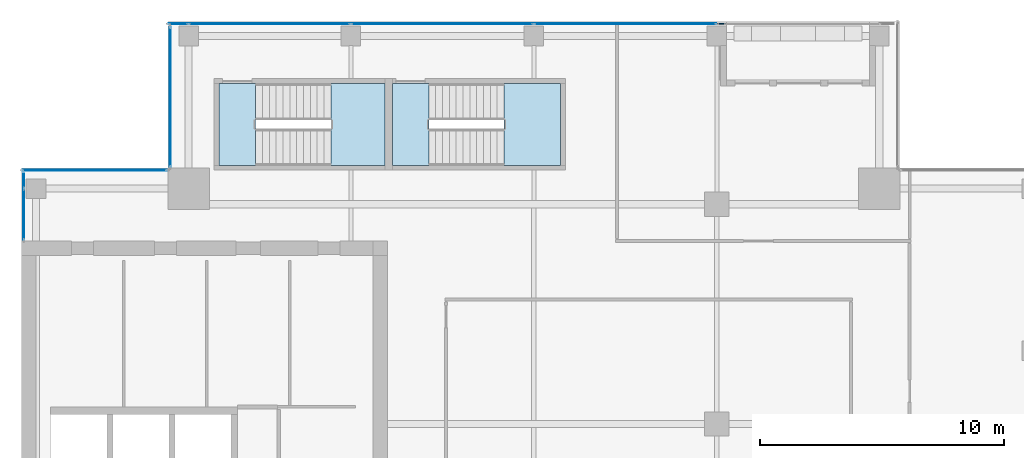
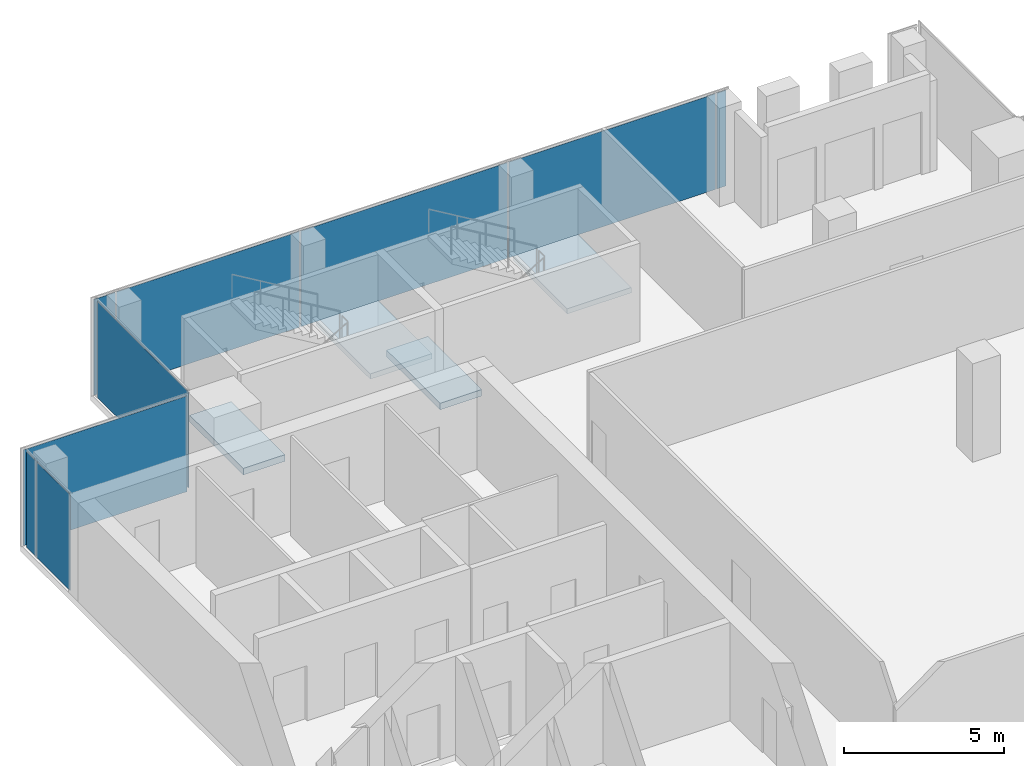
# One storey, part 23 of 29: 9 plates, 4 slabs, 6 elements without a shape of their own.
"""IFC4 building model written with IfcOpenShell, lengths in metres."""

from ifc_helpers import new_model, si_unit, direction, frame, origin, origin_2d, place, context, subcontext, project, spatial, polyline, rectangle, outline, extrude, source, transform, mapped, material, layer, layer_set, type_object, element, aggregate, save


model = new_model("IFC4")

# Units and contexts
model_context = context("Model", 3, precision=1e-05, world=origin(), true_north=direction((0.0, 1.0)))
body_context = subcontext(model_context, "Body", "Model", "MODEL_VIEW")
ifc_project = project(units=[si_unit("LENGTHUNIT", "METRE"), si_unit("AREAUNIT", "SQUARE_METRE"), si_unit("VOLUMEUNIT", "CUBIC_METRE"), si_unit("PLANEANGLEUNIT", "RADIAN"), si_unit("MASSUNIT", "GRAM", prefix="KILO")], contexts=[model_context])

# Site, building, storey
site_placement = place(None, origin())
site = spatial("IfcSite", under=ifc_project, at=site_placement, CompositionType="ELEMENT")
building_placement = place(site_placement, origin())
building = spatial("IfcBuilding", under=site, at=building_placement, Name="Khomas Fold Tower", CompositionType="ELEMENT")
storey_placement = place(building_placement, frame((0.0, 0.0, 322.199951171875)))
storey = spatial("IfcBuildingStorey", under=building, at=storey_placement, Name="L73", CompositionType="ELEMENT", Elevation=322.199951171875)

# Curtain wall, plate
ifc_material_1 = material(Name="Aluminium framed double glazing", Category="aluminium")
curtain_wall_type = type_object("IfcCurtainWallType", Name="SK-Unitised clear-glass wall, upper floors CW3", PredefinedType="NOTDEFINED", material=ifc_material_1)
curtain_wall_1_placement = place(storey_placement, origin())
curtain_wall_1 = element("IfcCurtainWall", 1, at=curtain_wall_1_placement, inside=storey, type_object=curtain_wall_type, Name="CW3 run L73 09-0", PredefinedType="NOTDEFINED")
ifc_material_2 = material(Name="Clear double glazed unit")
ifc_layer_1 = layer(ifc_material_2, 0.028076171875)
ifc_layer_set_1 = layer_set([ifc_layer_1], Name="Clear double glazed unit")
plate_type = type_object("IfcPlateType", Name="SK-Unitised clear-glass wall, upper floors glass panel CW3-P", PredefinedType="CURTAIN_PANEL", material=ifc_layer_set_1)
shared_shape_1 = source(origin(), body_context, "Body", "SweptSolid", [
    extrude(rectangle(XDim=0.574951171875, YDim=0.028076171875, at=origin_2d()), origin(), (0.0, 0.0, 1.0), 3.64990234375),
])
plate_1_placement = place(storey_placement, frame((6.10009765625, 41.46240234375, 0.0), z_axis=(0.0, 0.0, 1.0), x_axis=(0.0, -1.0, 0.0)))
plate_1 = element("IfcPlate", 2, at=plate_1_placement, type_object=plate_type, Name="CW3 glass panel 1", PredefinedType="CURTAIN_PANEL", context=body_context, shape_type="MappedRepresentation", body=[
    mapped(shared_shape_1, transform((0.0, 0.0, 0.0))),
])

# Curtain wall, plates
curtain_wall_2_placement = place(storey_placement, origin())
curtain_wall_2 = element("IfcCurtainWall", 3, at=curtain_wall_2_placement, inside=storey, type_object=curtain_wall_type, Name="CW3 run L73 06-1", PredefinedType="NOTDEFINED")
shared_shape_2 = source(origin(), body_context, "Body", "SweptSolid", [
    extrude(rectangle(XDim=6.60009765625, YDim=0.028076171875, at=origin_2d()), origin(), (0.0, 0.0, 1.0), 3.64990234375),
])
plate_2_placement = place(storey_placement, frame((16.175048828125, 47.89990234375, 0.0), z_axis=(0.0, 0.0, 1.0), x_axis=(-1.0, 0.0, 0.0)))
plate_2 = element("IfcPlate", 4, at=plate_2_placement, type_object=plate_type, Name="CW3 glass panel 4", PredefinedType="CURTAIN_PANEL", context=body_context, shape_type="MappedRepresentation", body=[
    mapped(shared_shape_2, transform((0.0, 0.0, 0.0))),
])
shared_shape_3 = source(origin(), body_context, "Body", "SweptSolid", [
    extrude(rectangle(XDim=7.449951171875, YDim=0.028076171875, at=origin_2d()), origin(), (0.0, 0.0, 1.0), 3.64990234375),
])
plate_3_placement = place(storey_placement, frame((30.75, 47.89990234375, 0.0), z_axis=(0.0, 0.0, 1.0), x_axis=(-1.0, 0.0, 0.0)))
plate_3 = element("IfcPlate", 5, at=plate_3_placement, type_object=plate_type, Name="CW3 glass panel 2", PredefinedType="CURTAIN_PANEL", context=body_context, shape_type="MappedRepresentation", body=[
    mapped(shared_shape_3, transform((0.0, 0.0, 0.0))),
])
plate_4_placement = place(storey_placement, frame((23.25, 47.89990234375, 0.0), z_axis=(0.0, 0.0, 1.0), x_axis=(-1.0, 0.0, 0.0)))
plate_4 = element("IfcPlate", 6, at=plate_4_placement, type_object=plate_type, Name="CW3 glass panel 3", PredefinedType="CURTAIN_PANEL", context=body_context, shape_type="MappedRepresentation", body=[
    mapped(shared_shape_3, transform((0.0, 0.0, 0.0))),
])
shared_shape_4 = source(origin(), body_context, "Body", "SweptSolid", [
    extrude(rectangle(XDim=0.77490234375, YDim=0.028076171875, at=origin_2d()), origin(), (0.0, 0.0, 1.0), 3.64990234375),
])
plate_5_placement = place(storey_placement, frame((12.4375, 47.89990234375, 0.0), z_axis=(0.0, 0.0, 1.0), x_axis=(-1.0, 0.0, 0.0)))
plate_5 = element("IfcPlate", 7, at=plate_5_placement, type_object=plate_type, Name="CW3 glass panel 5", PredefinedType="CURTAIN_PANEL", context=body_context, shape_type="MappedRepresentation", body=[
    mapped(shared_shape_4, transform((0.0, 0.0, 0.0))),
])

# Curtain wall, plate
curtain_wall_3_placement = place(storey_placement, origin())
curtain_wall_3 = element("IfcCurtainWall", 8, at=curtain_wall_3_placement, inside=storey, type_object=curtain_wall_type, Name="CW3 corner return L73 07", PredefinedType="NOTDEFINED")
shared_shape_5 = source(origin(), body_context, "Body", "SweptSolid", [
    extrude(rectangle(XDim=5.699951171875, YDim=0.028076171875, at=origin_2d()), origin(), (0.0, 0.0, 1.0), 3.64990234375),
])
plate_6_placement = place(storey_placement, frame((12.10009765625, 44.89990234375, 0.0), z_axis=(0.0, 0.0, 1.0), x_axis=(0.0, -1.0, 0.0)))
plate_6 = element("IfcPlate", 9, at=plate_6_placement, type_object=plate_type, Name="CW3 glass panel 1", PredefinedType="CURTAIN_PANEL", context=body_context, shape_type="MappedRepresentation", body=[
    mapped(shared_shape_5, transform((0.0, 0.0, 0.0))),
])
aggregate(curtain_wall_3, [plate_6])

curtain_wall_4_placement = place(storey_placement, origin())
curtain_wall_4 = element("IfcCurtainWall", 10, at=curtain_wall_4_placement, inside=storey, type_object=curtain_wall_type, Name="CW3 corner return L73 08", PredefinedType="NOTDEFINED")
shared_shape_6 = source(origin(), body_context, "Body", "SweptSolid", [
    extrude(rectangle(XDim=5.89990234375, YDim=0.028076171875, at=origin_2d()), origin(), (0.0, 0.0, 1.0), 3.64990234375),
])
plate_7_placement = place(storey_placement, frame((9.0, 41.89990234375, 0.0), z_axis=(0.0, 0.0, 1.0), x_axis=(-1.0, 0.0, 0.0)))
plate_7 = element("IfcPlate", 11, at=plate_7_placement, type_object=plate_type, Name="CW3 glass panel 1", PredefinedType="CURTAIN_PANEL", context=body_context, shape_type="MappedRepresentation", body=[
    mapped(shared_shape_6, transform((0.0, 0.0, 0.0))),
])
aggregate(curtain_wall_4, [plate_7])

# Plate
shared_shape_7 = source(origin(), body_context, "Body", "SweptSolid", [
    extrude(rectangle(XDim=0.324951171875, YDim=0.028076171875, at=origin_2d()), origin(), (0.0, 0.0, 1.0), 3.64990234375),
])
plate_8_placement = place(storey_placement, frame((34.6875, 47.89990234375, 0.0), z_axis=(0.0, 0.0, 1.0), x_axis=(-1.0, 0.0, 0.0)))
plate_8 = element("IfcPlate", 12, at=plate_8_placement, type_object=plate_type, Name="CW3 glass panel 1", PredefinedType="CURTAIN_PANEL", context=body_context, shape_type="MappedRepresentation", body=[
    mapped(shared_shape_7, transform((0.0, 0.0, 0.0))),
])

aggregate(curtain_wall_2, [plate_8, plate_3, plate_4, plate_2, plate_5])

shared_shape_8 = source(origin(), body_context, "Body", "SweptSolid", [
    extrude(rectangle(XDim=2.074951171875, YDim=0.028076171875, at=origin_2d()), origin(), (0.0, 0.0, 1.0), 3.64990234375),
])
plate_9_placement = place(storey_placement, frame((6.10009765625, 40.08740234375, 0.0), z_axis=(0.0, 0.0, 1.0), x_axis=(0.0, -1.0, 0.0)))
plate_9 = element("IfcPlate", 13, at=plate_9_placement, type_object=plate_type, Name="CW3 glass panel 2", PredefinedType="CURTAIN_PANEL", context=body_context, shape_type="MappedRepresentation", body=[
    mapped(shared_shape_8, transform((0.0, 0.0, 0.0))),
])

aggregate(curtain_wall_1, [plate_1, plate_9])

# Stair, slab
ifc_material_3 = material(Name="Concrete C40/50", Category="concrete")
stair_type_1 = type_object("IfcStairType", Name="Stair ST1", PredefinedType="HALF_TURN_STAIR", material=ifc_material_3)
stair_1_placement = place(storey_placement, origin())
stair_1 = element("IfcStair", 14, at=stair_1_placement, inside=storey, type_object=stair_type_1, Name="L73 ST1", PredefinedType="HALF_TURN_STAIR")
ifc_material_4 = material(Name="Concrete C40/50", Category="concrete")
ifc_layer_2 = layer(ifc_material_4, 0.199951171875)
ifc_layer_set_2 = layer_set([ifc_layer_2], Name="Concrete C40/50")
slab_type_1 = type_object("IfcSlabType", Name="Stair landing 200", PredefinedType="LANDING", material=ifc_layer_set_2)
shared_shape_9 = source(origin(), body_context, "Body", "SweptSolid", [
    extrude(outline(polyline([(18.679931640625, 42.10009765625), (20.89990234375, 42.10009765625), (20.89990234375, 45.449951171875), (18.679931640625, 45.449951171875), (18.679931640625, 42.10009765625)])), origin(), (0.0, 0.0, 1.0), 0.199951171875),
])
slab_1_placement = place(storey_placement, frame((0.0, 0.0, 1.800048828125)))
slab_1 = element("IfcSlab", 15, at=slab_1_placement, type_object=slab_type_1, Name="ST1 landing 1", PredefinedType="LANDING", context=body_context, shape_type="MappedRepresentation", body=[
    mapped(shared_shape_9, transform((0.0, 0.0, 0.0))),
])
aggregate(stair_1, [slab_1])

# Slab
ifc_material_5 = material(Name="Concrete C40/50", Category="concrete")
ifc_layer_3 = layer(ifc_material_5, 0.25)
ifc_layer_set_3 = layer_set([ifc_layer_3], Name="Concrete C40/50")
slab_type_2 = type_object("IfcSlabType", Name="Stair floor landing 250", PredefinedType="LANDING", material=ifc_layer_set_3)
shared_shape_10 = source(origin(), body_context, "Body", "SweptSolid", [
    extrude(outline(polyline([(15.60009765625, 42.10009765625), (14.10009765625, 42.10009765625), (14.10009765625, 45.449951171875), (15.60009765625, 45.449951171875), (15.60009765625, 42.10009765625)])), origin(), (0.0, 0.0, 1.0), 0.25),
])
slab_2_placement = place(storey_placement, frame((0.0, 0.0, -0.25)))
element("IfcSlab", 16, at=slab_2_placement, inside=storey, type_object=slab_type_2, Name="ST1 floor landing", PredefinedType="LANDING", context=body_context, shape_type="MappedRepresentation", body=[
    mapped(shared_shape_10, transform((0.0, 0.0, 0.0))),
])

# Stair, slab
ifc_material_6 = material(Name="Concrete C40/50", Category="concrete")
stair_type_2 = type_object("IfcStairType", Name="Stair ST3", PredefinedType="HALF_TURN_STAIR", material=ifc_material_6)
stair_2_placement = place(storey_placement, origin())
stair_2 = element("IfcStair", 17, at=stair_2_placement, inside=storey, type_object=stair_type_2, Name="L73 ST3", PredefinedType="HALF_TURN_STAIR")
shared_shape_11 = source(origin(), body_context, "Body", "SweptSolid", [
    extrude(outline(polyline([(25.780029296875, 42.10009765625), (28.10009765625, 42.10009765625), (28.10009765625, 45.449951171875), (25.780029296875, 45.449951171875), (25.780029296875, 42.10009765625)])), origin(), (0.0, 0.0, 1.0), 0.199951171875),
])
slab_3_placement = place(storey_placement, frame((0.0, 0.0, 1.800048828125)))
slab_3 = element("IfcSlab", 18, at=slab_3_placement, type_object=slab_type_1, Name="ST3 landing 1", PredefinedType="LANDING", context=body_context, shape_type="MappedRepresentation", body=[
    mapped(shared_shape_11, transform((0.0, 0.0, 0.0))),
])
aggregate(stair_2, [slab_3])

# Slab
shared_shape_12 = source(origin(), body_context, "Body", "SweptSolid", [
    extrude(outline(polyline([(22.699951171875, 42.10009765625), (21.199951171875, 42.10009765625), (21.199951171875, 45.449951171875), (22.699951171875, 45.449951171875), (22.699951171875, 42.10009765625)])), origin(), (0.0, 0.0, 1.0), 0.25),
])
slab_4_placement = place(storey_placement, frame((0.0, 0.0, -0.25)))
element("IfcSlab", 19, at=slab_4_placement, inside=storey, type_object=slab_type_2, Name="ST3 floor landing", PredefinedType="LANDING", context=body_context, shape_type="MappedRepresentation", body=[
    mapped(shared_shape_12, transform((0.0, 0.0, 0.0))),
])

save(model, "model.ifc")
